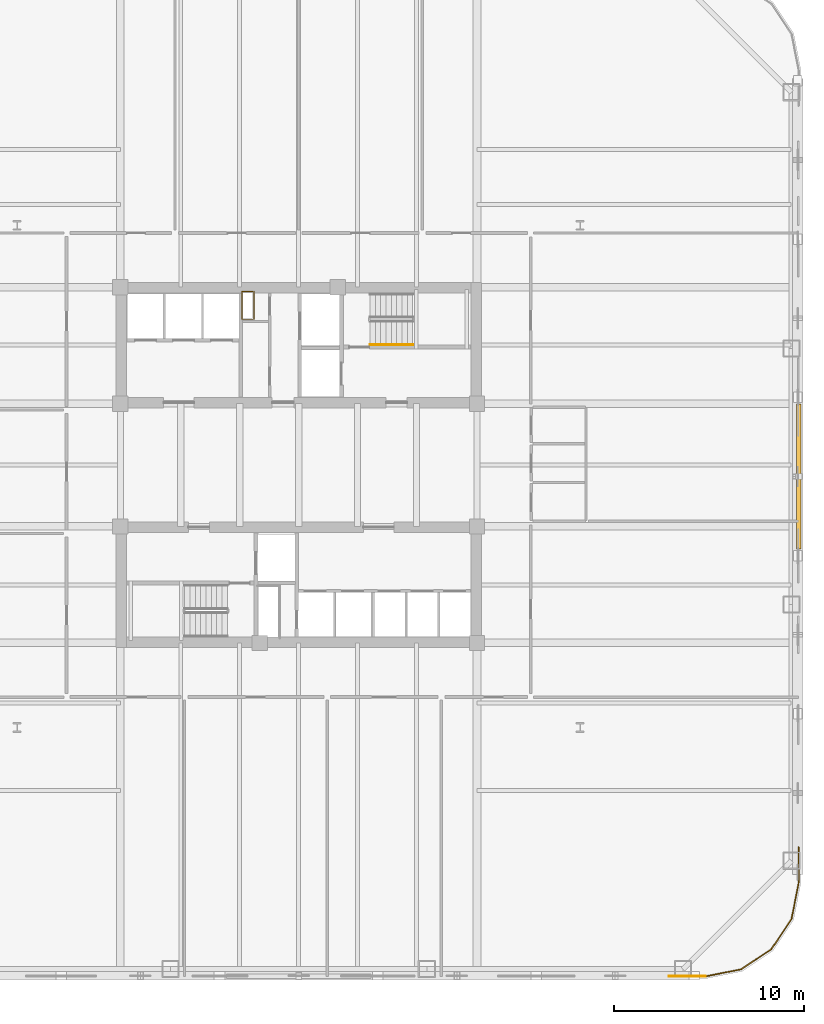
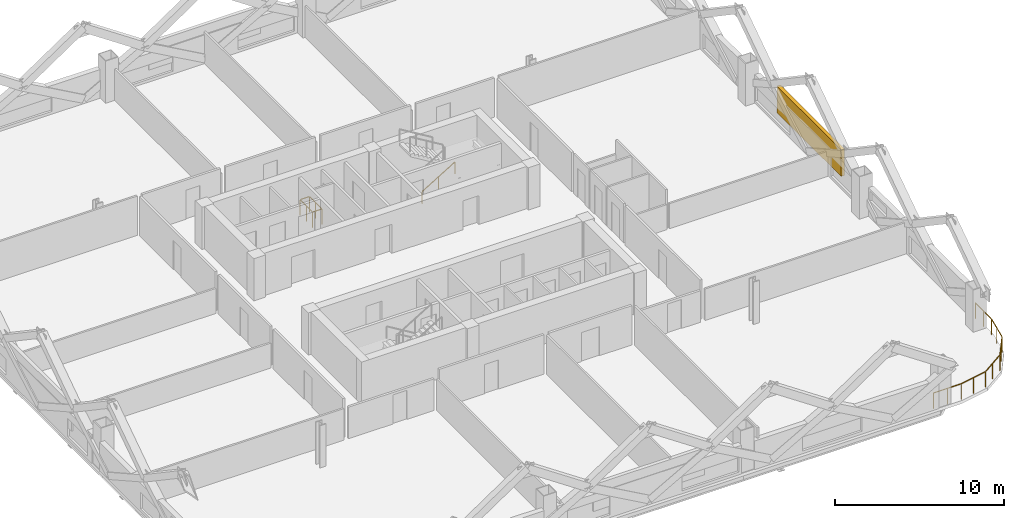
# One storey, part 10 of 13: 4 railings, 1 shading device.
"""IFC4 building model written with IfcOpenShell, lengths in metres."""

from ifc_helpers import new_model, si_unit, direction, frame, origin, origin_2d, place, context, subcontext, project, spatial, rectangle, extrude, material, type_object, element, save


model = new_model("IFC4")

# Units and contexts
model_context = context("Model", 3, precision=1e-05, world=origin(), true_north=direction((0.0, 1.0)))
body_context = subcontext(model_context, "Body", "Model", "MODEL_VIEW")
ifc_project = project(units=[si_unit("LENGTHUNIT", "METRE"), si_unit("AREAUNIT", "SQUARE_METRE"), si_unit("VOLUMEUNIT", "CUBIC_METRE"), si_unit("PLANEANGLEUNIT", "RADIAN"), si_unit("MASSUNIT", "GRAM", prefix="KILO")], contexts=[model_context])

# Site, building, storey
site_placement = place(None, origin())
site = spatial("IfcSite", under=ifc_project, at=site_placement, CompositionType="ELEMENT")
building_placement = place(site_placement, origin())
building = spatial("IfcBuilding", under=site, at=building_placement, Name="Qhalaya Broadcast Tower", CompositionType="ELEMENT")
storey_placement = place(building_placement, frame((0.0, 0.0, 44.39990234375)))
storey = spatial("IfcBuildingStorey", under=building, at=storey_placement, Name="L12", CompositionType="ELEMENT", Elevation=44.39990234375)

# Railings
ifc_material_1 = material(Name="Powder-Coated Galvanised Steel", Category="steel")
railing_type_1 = type_object("IfcRailingType", Name="Stair Wall Handrail 900", PredefinedType="HANDRAIL", material=ifc_material_1)
railing_1_placement = place(storey_placement, frame((3.75, 6.929931640625, 0.16943359375)))
element("IfcRailing", 1, at=railing_1_placement, inside=storey, type_object=railing_type_1, Name="L12 ST-1 Stair Handrail 1", PredefinedType="HANDRAIL", context=body_context, shape_type="SweptSolid", body=[
    extrude(rectangle(XDim=0.048095703125, YDim=0.048095703125, at=origin_2d()), frame((0.0, 0.0, 0.8759765625), z_axis=(0.855512035549, 0.0, 0.517782924622), x_axis=(0.0, 1.0, 0.0)), (0.0, 0.0, 1.0), 2.618408203125),
    extrude(rectangle(XDim=0.0419921875, YDim=0.0419921875, at=origin_2d()), origin(), (0.0, 0.0, 1.0), 0.849853515625),
    extrude(rectangle(XDim=0.0419921875, YDim=0.0419921875, at=origin_2d()), frame((1.1201171875, 0.0, 0.677734375)), (0.0, 0.0, 1.0), 0.849853515625),
    extrude(rectangle(XDim=0.0419921875, YDim=0.0419921875, at=origin_2d()), frame((2.239990234375, 0.0, 1.355712890625)), (0.0, 0.0, 1.0), 0.849853515625),
])
railing_type_2 = type_object("IfcRailingType", Name="Stair Well & Landing Guardrail 1100", PredefinedType="GUARDRAIL", material=ifc_material_1)
railing_2_placement = place(storey_placement, frame((-2.340087890625, 8.239990234375, 0.0)))
element("IfcRailing", 2, at=railing_2_placement, inside=storey, type_object=railing_type_2, Name="L12 Service Riser Opening Safety Guard NRSR", PredefinedType="GUARDRAIL", context=body_context, shape_type="SweptSolid", body=[
    extrude(rectangle(XDim=0.048095703125, YDim=0.048095703125, at=origin_2d()), frame((0.0, 0.02880859375, 1.1259765625), z_axis=(0.0, 1.0, 0.0), x_axis=(-1.0, 0.0, 0.0)), (0.0, 0.0, 1.0), 1.42236328125),
    extrude(rectangle(XDim=0.048095703125, YDim=0.048095703125, at=origin_2d()), frame((-0.02880859375, 1.47998046875, 1.1259765625), z_axis=(-1.0, 0.0, 0.0), x_axis=(0.0, -1.0, 0.0)), (0.0, 0.0, 1.0), 0.582275390625),
    extrude(rectangle(XDim=0.048095703125, YDim=0.048095703125, at=origin_2d()), frame((-0.639892578125, 1.451171875, 1.1259765625), z_axis=(0.0, -1.0, 0.0), x_axis=(1.0, 0.0, 0.0)), (0.0, 0.0, 1.0), 1.42236328125),
    extrude(rectangle(XDim=0.048095703125, YDim=0.048095703125, at=origin_2d()), frame((-0.611083984375, 0.0, 1.1259765625), z_axis=(1.0, 0.0, 0.0), x_axis=(0.0, 1.0, 0.0)), (0.0, 0.0, 1.0), 0.582275390625),
    extrude(rectangle(XDim=0.0419921875, YDim=0.0419921875, at=origin_2d()), origin(), (0.0, 0.0, 1.0), 1.099853515625),
    extrude(rectangle(XDim=0.0419921875, YDim=0.0419921875, at=origin_2d()), frame((0.0, 0.739990234375, 0.0)), (0.0, 0.0, 1.0), 1.099853515625),
    extrude(rectangle(XDim=0.0419921875, YDim=0.0419921875, at=origin_2d()), frame((0.0, 1.47998046875, 0.0)), (0.0, 0.0, 1.0), 1.099853515625),
    extrude(rectangle(XDim=0.0419921875, YDim=0.0419921875, at=origin_2d()), frame((-0.639892578125, 1.47998046875, 0.0)), (0.0, 0.0, 1.0), 1.099853515625),
    extrude(rectangle(XDim=0.0419921875, YDim=0.0419921875, at=origin_2d()), frame((-0.639892578125, 0.739990234375, 0.0)), (0.0, 0.0, 1.0), 1.099853515625),
    extrude(rectangle(XDim=0.0419921875, YDim=0.0419921875, at=origin_2d()), frame((-0.639892578125, 0.0, 0.0)), (0.0, 0.0, 1.0), 1.099853515625),
])
railing_type_3 = type_object("IfcRailingType", Name="Terrace, Sky-Pool & Lookout Glass Balustrade 1150", PredefinedType="BALUSTRADE", material=ifc_material_1)
railing_3_placement = place(storey_placement, frame((21.38818359375, -26.280029296875, 0.0)))
element("IfcRailing", 3, at=railing_3_placement, inside=storey, type_object=railing_type_3, Name="L12 Rounded Corner Perimeter Guard 01", PredefinedType="BALUSTRADE", context=body_context, shape_type="SweptSolid", body=[
    extrude(rectangle(XDim=0.048095703125, YDim=0.048095703125, at=origin_2d()), frame((0.0, 0.0, 1.1259765625), z_axis=(-1.0, 0.0, 0.0), x_axis=(0.0, -1.0, 0.0)), (0.0, 0.0, 1.0), 1.90625),
    extrude(rectangle(XDim=0.0419921875, YDim=0.0419921875, at=origin_2d()), origin(), (0.0, 0.0, 1.0), 1.099853515625),
    extrude(rectangle(XDim=0.0419921875, YDim=0.0419921875, at=origin_2d()), frame((-0.953125, 0.0, 0.0)), (0.0, 0.0, 1.0), 1.099853515625),
    extrude(rectangle(XDim=0.0419921875, YDim=0.0419921875, at=origin_2d()), frame((-1.90625, 0.0, 0.0)), (0.0, 0.0, 1.0), 1.099853515625),
])
railing_4_placement = place(storey_placement, frame((26.280029296875, -19.48193359375, 0.0)))
element("IfcRailing", 4, at=railing_4_placement, inside=storey, type_object=railing_type_3, Name="L12 Rounded Corner Perimeter Guard 05", PredefinedType="BALUSTRADE", context=body_context, shape_type="SweptSolid", body=[
    extrude(rectangle(XDim=0.048095703125, YDim=0.048095703125, at=origin_2d()), frame((0.0, 0.0, 1.1259765625), z_axis=(0.0, -1.0, 0.0), x_axis=(1.0, 0.0, 0.0)), (0.0, 0.0, 1.0), 1.87744140625),
    extrude(rectangle(XDim=0.048095703125, YDim=0.048095703125, at=origin_2d()), frame((-0.005615234375, -1.9345703125, 1.1259765625), z_axis=(-0.195037378397, -0.980795810058, 0.0), x_axis=(0.980795810058, -0.195037378397, 0.0)), (0.0, 0.0, 1.0), 1.857421875),
    extrude(rectangle(XDim=0.048095703125, YDim=0.048095703125, at=origin_2d()), frame((-0.3896484375, -3.80859375, 1.1259765625), z_axis=(-0.555558355728, -0.831477548332, 0.0), x_axis=(0.831477548332, -0.555558355728, 0.0)), (0.0, 0.0, 1.0), 1.845458984375),
    extrude(rectangle(XDim=0.048095703125, YDim=0.048095703125, at=origin_2d()), frame((-1.454833984375, -5.38330078125, 1.1259765625), z_axis=(-0.831477548332, -0.555558355728, 0.0), x_axis=(0.555558355728, -0.831477548332, 0.0)), (0.0, 0.0, 1.0), 1.845458984375),
    extrude(rectangle(XDim=0.048095703125, YDim=0.048095703125, at=origin_2d()), frame((-3.041748046875, -6.43017578125, 1.1259765625), z_axis=(-0.980795810058, -0.195037378397, 0.0), x_axis=(0.195037378397, -0.980795810058, 0.0)), (0.0, 0.0, 1.0), 1.88623046875),
    extrude(rectangle(XDim=0.0419921875, YDim=0.0419921875, at=origin_2d()), origin(), (0.0, 0.0, 1.0), 1.099853515625),
    extrude(rectangle(XDim=0.0419921875, YDim=0.0419921875, at=origin_2d()), frame((0.0, -0.953125, 0.0)), (0.0, 0.0, 1.0), 1.099853515625),
    extrude(rectangle(XDim=0.0419921875, YDim=0.0419921875, at=origin_2d()), frame((0.0, -1.90625, 0.0)), (0.0, 0.0, 1.0), 1.099853515625),
    extrude(rectangle(XDim=0.0419921875, YDim=0.0419921875, at=origin_2d()), frame((-0.186767578125, -2.845458984375, 0.0)), (0.0, 0.0, 1.0), 1.099853515625),
    extrude(rectangle(XDim=0.0419921875, YDim=0.0419921875, at=origin_2d()), frame((-0.37353515625, -3.78466796875, 0.0)), (0.0, 0.0, 1.0), 1.099853515625),
    extrude(rectangle(XDim=0.0419921875, YDim=0.0419921875, at=origin_2d()), frame((-0.90234375, -4.575927734375, 0.0)), (0.0, 0.0, 1.0), 1.099853515625),
    extrude(rectangle(XDim=0.0419921875, YDim=0.0419921875, at=origin_2d()), frame((-1.430908203125, -5.3671875, 0.0)), (0.0, 0.0, 1.0), 1.099853515625),
    extrude(rectangle(XDim=0.0419921875, YDim=0.0419921875, at=origin_2d()), frame((-2.22216796875, -5.89599609375, 0.0)), (0.0, 0.0, 1.0), 1.099853515625),
    extrude(rectangle(XDim=0.0419921875, YDim=0.0419921875, at=origin_2d()), frame((-3.013427734375, -6.424560546875, 0.0)), (0.0, 0.0, 1.0), 1.099853515625),
    extrude(rectangle(XDim=0.0419921875, YDim=0.0419921875, at=origin_2d()), frame((-3.95263671875, -6.611328125, 0.0)), (0.0, 0.0, 1.0), 1.099853515625),
    extrude(rectangle(XDim=0.0419921875, YDim=0.0419921875, at=origin_2d()), frame((-4.891845703125, -6.798095703125, 0.0)), (0.0, 0.0, 1.0), 1.099853515625),
])

# Shading device
ifc_material_2 = material(Name="Fired Architectural Terracotta", Category="masonry")
shading_device_type = type_object("IfcShadingDeviceType", Name="Terracotta Baguette Solar Screen Assembly TBS-01", PredefinedType="USERDEFINED", material=ifc_material_2)
shading_device_placement = place(storey_placement, frame((26.280029296875, 0.0, 0.79248046875), z_axis=(0.0, 0.0, 1.0), x_axis=(0.0, 1.0, 0.0)))
element("IfcShadingDevice", 5, at=shading_device_placement, inside=storey, type_object=shading_device_type, Name="L12 Fired Terracotta Baguette Screen E", ObjectType="BAGUETTE", PredefinedType="USERDEFINED", context=body_context, shape_type="SweptSolid", body=[
    extrude(rectangle(XDim=7.60009765625, YDim=0.239990234375, at=origin_2d()), origin(), (0.0, 0.0, 1.0), 1.924072265625),
])

save(model, "model.ifc")
